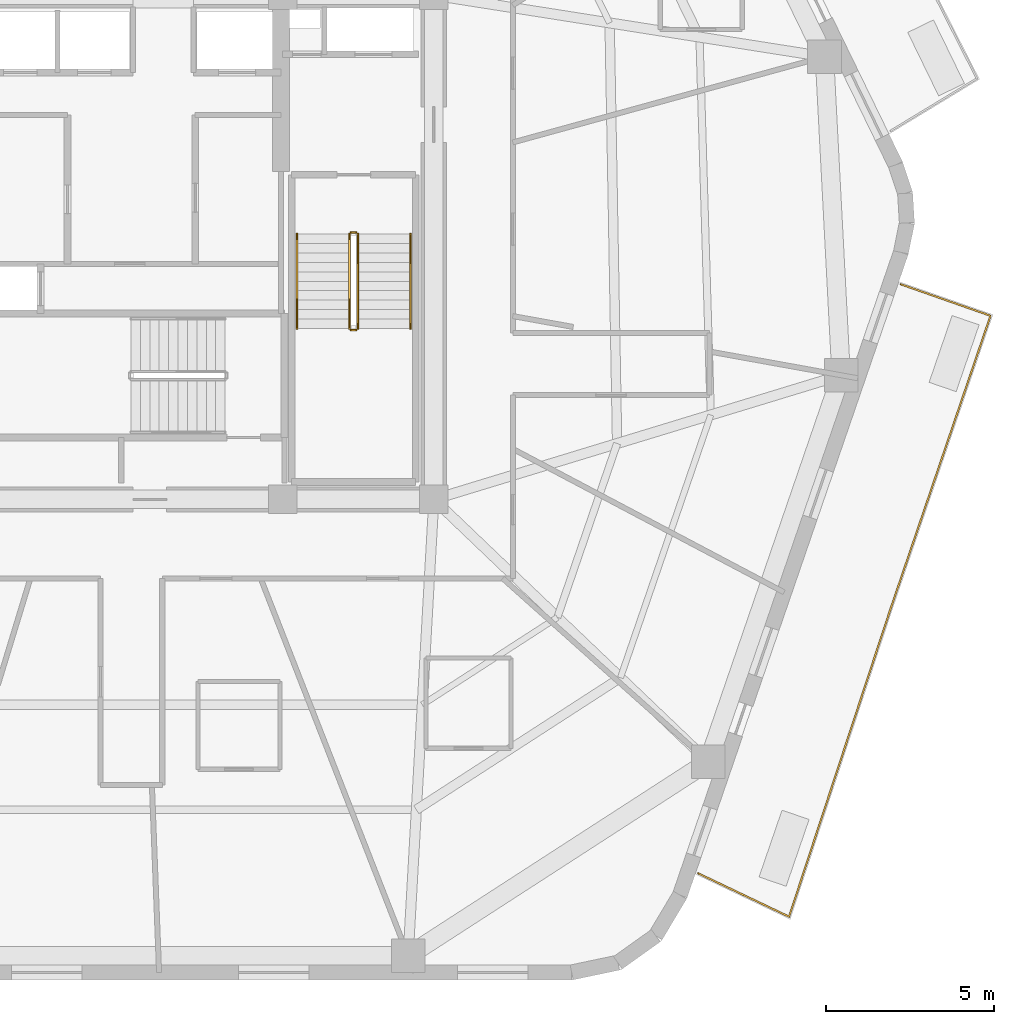
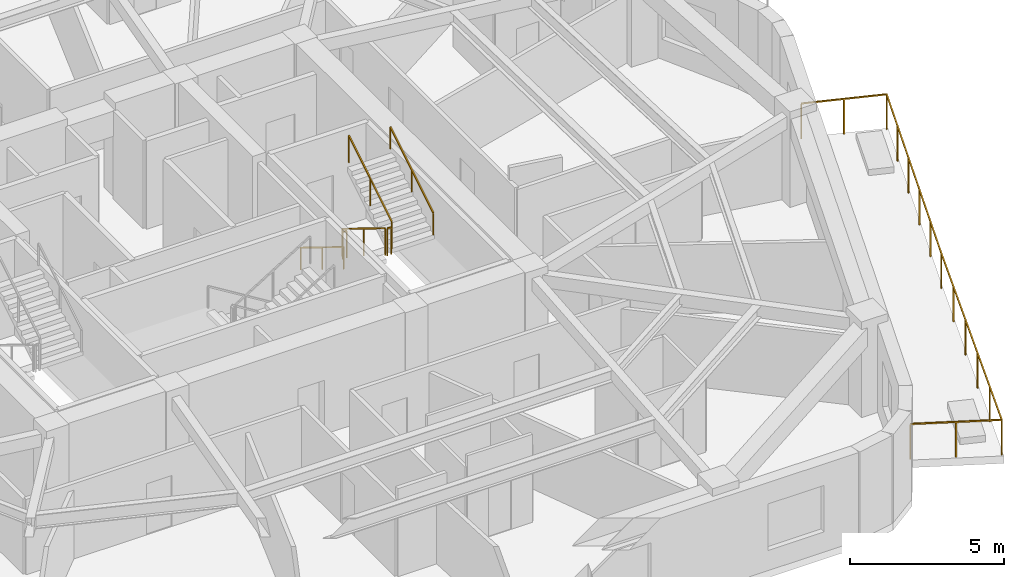
# One storey, part 8 of 9: 7 railings.
"""IFC4 building model written with IfcOpenShell, lengths in metres."""

from ifc_helpers import new_model, si_unit, direction, frame, origin, origin_2d, place, context, subcontext, project, spatial, rectangle, extrude, material, layer, layer_set, type_object, element, save


model = new_model("IFC4")

# Units and contexts
model_context = context("Model", 3, precision=1e-05, world=origin(), true_north=direction((0.0, 1.0)))
body_context = subcontext(model_context, "Body", "Model", "MODEL_VIEW")
ifc_project = project(units=[si_unit("LENGTHUNIT", "METRE"), si_unit("AREAUNIT", "SQUARE_METRE"), si_unit("VOLUMEUNIT", "CUBIC_METRE"), si_unit("PLANEANGLEUNIT", "RADIAN"), si_unit("MASSUNIT", "GRAM", prefix="KILO")], contexts=[model_context])

# Site, building, storey
site_placement = place(None, origin())
site = spatial("IfcSite", under=ifc_project, at=site_placement, CompositionType="ELEMENT")
building_placement = place(site_placement, origin())
building = spatial("IfcBuilding", under=site, at=building_placement, Name="Kilnhurst Terrace Hotel", CompositionType="ELEMENT")
storey_placement = place(building_placement, frame((0.0, 0.0, 240.699951171875)))
storey = spatial("IfcBuildingStorey", under=building, at=storey_placement, Name="L60", CompositionType="ELEMENT", Elevation=240.699951171875)

# Railings
ifc_material_1 = material(Name="Laminated SentryGlas and Stainless Steel AISI 316L Balustrade", Category="steel")
ifc_layer_1 = layer(ifc_material_1, 0.070068359375, Name="Laminated SentryGlas and Stainless Steel AISI 316L Balustrade")
ifc_layer_set_1 = layer_set([ifc_layer_1], Name="Laminated SentryGlas and Stainless Steel AISI 316L Balustrade")
railing_type_1 = type_object("IfcRailingType", Name="RLG-BAL-1420", PredefinedType="BALUSTRADE", material=ifc_layer_set_1)
railing_1_placement = place(storey_placement, frame((22.894287109375, -1.1005859375, 0.0)))
element("IfcRailing", 1, at=railing_1_placement, inside=storey, type_object=railing_type_1, Name="L60 Exterior Terrace Guardrail BAL-L1A.1", PredefinedType="BALUSTRADE", context=body_context, shape_type="SweptSolid", body=[
    extrude(rectangle(XDim=0.048095703125, YDim=0.048095703125, at=origin_2d()), frame((0.0, 0.0, 1.39599609375), z_axis=(0.943611810029, -0.331054001597, 0.0), x_axis=(0.331054001597, 0.943611810029, 0.0)), (0.0, 0.0, 1.0), 2.828125),
    extrude(rectangle(XDim=0.048095703125, YDim=0.048095703125, at=origin_2d()), frame((2.668701171875, -0.936279296875, 1.39599609375), z_axis=(-0.322845243604, -0.946451767753, 0.0), x_axis=(0.946451767753, -0.322845243604, 0.0)), (0.0, 0.0, 1.0), 9.19775390625),
    extrude(rectangle(XDim=0.048095703125, YDim=0.048095703125, at=origin_2d()), frame((-0.30078125, -9.6416015625, 1.39599609375), z_axis=(-0.316227766017, -0.948683298051, 0.0), x_axis=(0.948683298051, -0.316227766017, 0.0)), (0.0, 0.0, 1.0), 0.000732421875),
    extrude(rectangle(XDim=0.048095703125, YDim=0.048095703125, at=origin_2d()), frame((-0.301025390625, -9.642333984375, 1.39599609375), z_axis=(-0.31308682558, -0.949724507238, 0.0), x_axis=(0.949724507238, -0.31308682558, 0.0)), (0.0, 0.0, 1.0), 9.6591796875),
    extrude(rectangle(XDim=0.048095703125, YDim=0.048095703125, at=origin_2d()), frame((-3.3251953125, -18.81591796875, 1.39599609375), z_axis=(-0.902564652544, 0.430554349622, 0.0), x_axis=(-0.430554349622, -0.902564652544, 0.0)), (0.0, 0.0, 1.0), 2.99169921875),
    extrude(rectangle(XDim=0.0419921875, YDim=0.0419921875, at=origin_2d()), origin(), (0.0, 0.0, 1.0), 1.371826171875),
    extrude(rectangle(XDim=0.0419921875, YDim=0.0419921875, at=origin_2d()), frame((1.33447265625, -0.46826171875, 0.0)), (0.0, 0.0, 1.0), 1.371826171875),
    extrude(rectangle(XDim=0.0419921875, YDim=0.0419921875, at=origin_2d()), frame((2.668701171875, -0.936279296875, 0.0)), (0.0, 0.0, 1.0), 1.371826171875),
    extrude(rectangle(XDim=0.0419921875, YDim=0.0419921875, at=origin_2d()), frame((2.07470703125, -2.67724609375, 0.0)), (0.0, 0.0, 1.0), 1.371826171875),
    extrude(rectangle(XDim=0.0419921875, YDim=0.0419921875, at=origin_2d()), frame((1.48095703125, -4.41845703125, 0.0)), (0.0, 0.0, 1.0), 1.371826171875),
    extrude(rectangle(XDim=0.0419921875, YDim=0.0419921875, at=origin_2d()), frame((0.886962890625, -6.159423828125, 0.0)), (0.0, 0.0, 1.0), 1.371826171875),
    extrude(rectangle(XDim=0.0419921875, YDim=0.0419921875, at=origin_2d()), frame((0.293212890625, -7.900634765625, 0.0)), (0.0, 0.0, 1.0), 1.371826171875),
    extrude(rectangle(XDim=0.0419921875, YDim=0.0419921875, at=origin_2d()), frame((-0.30078125, -9.6416015625, 0.0)), (0.0, 0.0, 1.0), 1.371826171875),
    extrude(rectangle(XDim=0.0419921875, YDim=0.0419921875, at=origin_2d()), frame((-0.301025390625, -9.642333984375, 0.0)), (0.0, 0.0, 1.0), 1.371826171875),
    extrude(rectangle(XDim=0.0419921875, YDim=0.0419921875, at=origin_2d()), frame((-0.90576171875, -11.47705078125, 0.0)), (0.0, 0.0, 1.0), 1.371826171875),
    extrude(rectangle(XDim=0.0419921875, YDim=0.0419921875, at=origin_2d()), frame((-1.5107421875, -13.311767578125, 0.0)), (0.0, 0.0, 1.0), 1.371826171875),
    extrude(rectangle(XDim=0.0419921875, YDim=0.0419921875, at=origin_2d()), frame((-2.115478515625, -15.146484375, 0.0)), (0.0, 0.0, 1.0), 1.371826171875),
    extrude(rectangle(XDim=0.0419921875, YDim=0.0419921875, at=origin_2d()), frame((-2.720458984375, -16.981201171875, 0.0)), (0.0, 0.0, 1.0), 1.371826171875),
    extrude(rectangle(XDim=0.0419921875, YDim=0.0419921875, at=origin_2d()), frame((-3.3251953125, -18.81591796875, 0.0)), (0.0, 0.0, 1.0), 1.371826171875),
    extrude(rectangle(XDim=0.0419921875, YDim=0.0419921875, at=origin_2d()), frame((-4.67529296875, -18.171875, 0.0)), (0.0, 0.0, 1.0), 1.371826171875),
    extrude(rectangle(XDim=0.0419921875, YDim=0.0419921875, at=origin_2d()), frame((-6.025390625, -17.52783203125, 0.0)), (0.0, 0.0, 1.0), 1.371826171875),
])
ifc_material_2 = material(Name="Powder-Coated Steel ASTM A500 Grade B", Category="steel")
ifc_layer_2 = layer(ifc_material_2, 0.050048828125, Name="Powder-Coated Steel ASTM A500 Grade B")
ifc_layer_set_2 = layer_set([ifc_layer_2], Name="Powder-Coated Steel ASTM A500 Grade B")
railing_type_2 = type_object("IfcRailingType", Name="RLG-ST-GRD-1100", PredefinedType="GUARDRAIL", material=ifc_layer_set_2)
railing_2_placement = place(storey_placement, frame((6.489990234375, 0.389892578125, 0.1728515625)))
element("IfcRailing", 2, at=railing_2_placement, inside=storey, type_object=railing_type_2, Name="L60 ST-2 stair guard 1", PredefinedType="GUARDRAIL", context=body_context, shape_type="SweptSolid", body=[
    extrude(rectangle(XDim=0.048095703125, YDim=0.048095703125, at=origin_2d()), frame((0.0, 0.0, 1.076171875), z_axis=(0.0, -0.851069175582, 0.525053576669), x_axis=(1.0, 0.0, 0.0)), (0.0, 0.0, 1.0), 3.289794921875),
    extrude(rectangle(XDim=0.0419921875, YDim=0.0419921875, at=origin_2d()), origin(), (0.0, 0.0, 1.0), 1.052001953125),
    extrude(rectangle(XDim=0.0419921875, YDim=0.0419921875, at=origin_2d()), frame((0.0, -1.39990234375, 0.86376953125)), (0.0, 0.0, 1.0), 1.052001953125),
    extrude(rectangle(XDim=0.0419921875, YDim=0.0419921875, at=origin_2d()), frame((0.0, -2.7998046875, 1.727294921875)), (0.0, 0.0, 1.0), 1.052001953125),
])
railing_3_placement = place(storey_placement, frame((6.5400390625, -2.4599609375, 1.900146484375)))
element("IfcRailing", 3, at=railing_3_placement, inside=storey, type_object=railing_type_2, Name="L60 ST-2 stair guard 2", PredefinedType="GUARDRAIL", context=body_context, shape_type="SweptSolid", body=[
    extrude(rectangle(XDim=0.048095703125, YDim=0.048095703125, at=origin_2d()), frame((0.0, 0.0, 1.076171875), z_axis=(1.0, 0.0, 0.0), x_axis=(0.0, 1.0, 0.0)), (0.0, 0.0, 1.0), 0.14990234375),
    extrude(rectangle(XDim=0.0419921875, YDim=0.0419921875, at=origin_2d()), origin(), (0.0, 0.0, 1.0), 1.052001953125),
    extrude(rectangle(XDim=0.0419921875, YDim=0.0419921875, at=origin_2d()), frame((0.14990234375, 0.0, 0.0)), (0.0, 0.0, 1.0), 1.052001953125),
])
railing_4_placement = place(storey_placement, frame((6.739990234375, -2.409912109375, 2.07275390625)))
element("IfcRailing", 4, at=railing_4_placement, inside=storey, type_object=railing_type_2, Name="L60 ST-2 stair guard 3", PredefinedType="GUARDRAIL", context=body_context, shape_type="SweptSolid", body=[
    extrude(rectangle(XDim=0.048095703125, YDim=0.048095703125, at=origin_2d()), frame((0.0, 0.0, 1.076171875), z_axis=(0.0, 0.851069175582, 0.525053576669), x_axis=(-1.0, 0.0, 0.0)), (0.0, 0.0, 1.0), 3.289794921875),
    extrude(rectangle(XDim=0.0419921875, YDim=0.0419921875, at=origin_2d()), origin(), (0.0, 0.0, 1.0), 1.052001953125),
    extrude(rectangle(XDim=0.0419921875, YDim=0.0419921875, at=origin_2d()), frame((0.0, 1.39990234375, 0.86376953125)), (0.0, 0.0, 1.0), 1.052001953125),
    extrude(rectangle(XDim=0.0419921875, YDim=0.0419921875, at=origin_2d()), frame((0.0, 2.7998046875, 1.727294921875)), (0.0, 0.0, 1.0), 1.052001953125),
])
railing_5_placement = place(storey_placement, frame((6.5400390625, 0.43994140625, 0.0)))
element("IfcRailing", 5, at=railing_5_placement, inside=storey, type_object=railing_type_2, Name="L60 ST-2 stair guard 4", PredefinedType="GUARDRAIL", context=body_context, shape_type="SweptSolid", body=[
    extrude(rectangle(XDim=0.048095703125, YDim=0.048095703125, at=origin_2d()), frame((0.0, 0.0, 1.076171875), z_axis=(1.0, 0.0, 0.0), x_axis=(0.0, 1.0, 0.0)), (0.0, 0.0, 1.0), 0.14990234375),
    extrude(rectangle(XDim=0.0419921875, YDim=0.0419921875, at=origin_2d()), origin(), (0.0, 0.0, 1.0), 1.052001953125),
    extrude(rectangle(XDim=0.0419921875, YDim=0.0419921875, at=origin_2d()), frame((0.14990234375, 0.0, 0.0)), (0.0, 0.0, 1.0), 1.052001953125),
])
ifc_material_3 = material(Name="Brushed Stainless Steel AISI 304", Category="steel")
ifc_layer_3 = layer(ifc_material_3, 0.048095703125, Name="Brushed Stainless Steel AISI 304")
ifc_layer_set_3 = layer_set([ifc_layer_3], Name="Brushed Stainless Steel AISI 304")
railing_type_3 = type_object("IfcRailingType", Name="RLG-ST-HRL-900", PredefinedType="HANDRAIL", material=ifc_layer_set_3)
railing_6_placement = place(storey_placement, frame((4.929931640625, 0.389892578125, 0.1728515625)))
element("IfcRailing", 6, at=railing_6_placement, inside=storey, type_object=railing_type_3, Name="L60 ST-2 stair handrail 1", PredefinedType="HANDRAIL", context=body_context, shape_type="SweptSolid", body=[
    extrude(rectangle(XDim=0.048095703125, YDim=0.048095703125, at=origin_2d()), frame((0.0, 0.0, 0.8759765625), z_axis=(0.0, -0.851069175582, 0.525053576669), x_axis=(1.0, 0.0, 0.0)), (0.0, 0.0, 1.0), 3.289794921875),
    extrude(rectangle(XDim=0.0419921875, YDim=0.0419921875, at=origin_2d()), origin(), (0.0, 0.0, 1.0), 0.851806640625),
    extrude(rectangle(XDim=0.0419921875, YDim=0.0419921875, at=origin_2d()), frame((0.0, -1.39990234375, 0.86376953125)), (0.0, 0.0, 1.0), 0.851806640625),
    extrude(rectangle(XDim=0.0419921875, YDim=0.0419921875, at=origin_2d()), frame((0.0, -2.7998046875, 1.727294921875)), (0.0, 0.0, 1.0), 0.851806640625),
])
railing_7_placement = place(storey_placement, frame((8.300048828125, -2.409912109375, 2.07275390625)))
element("IfcRailing", 7, at=railing_7_placement, inside=storey, type_object=railing_type_3, Name="L60 ST-2 stair handrail 2", PredefinedType="HANDRAIL", context=body_context, shape_type="SweptSolid", body=[
    extrude(rectangle(XDim=0.048095703125, YDim=0.048095703125, at=origin_2d()), frame((0.0, 0.0, 0.8759765625), z_axis=(0.0, 0.851069175582, 0.525053576669), x_axis=(-1.0, 0.0, 0.0)), (0.0, 0.0, 1.0), 3.289794921875),
    extrude(rectangle(XDim=0.0419921875, YDim=0.0419921875, at=origin_2d()), origin(), (0.0, 0.0, 1.0), 0.851806640625),
    extrude(rectangle(XDim=0.0419921875, YDim=0.0419921875, at=origin_2d()), frame((0.0, 1.39990234375, 0.86376953125)), (0.0, 0.0, 1.0), 0.851806640625),
    extrude(rectangle(XDim=0.0419921875, YDim=0.0419921875, at=origin_2d()), frame((0.0, 2.7998046875, 1.727294921875)), (0.0, 0.0, 1.0), 0.851806640625),
])

save(model, "model.ifc")
